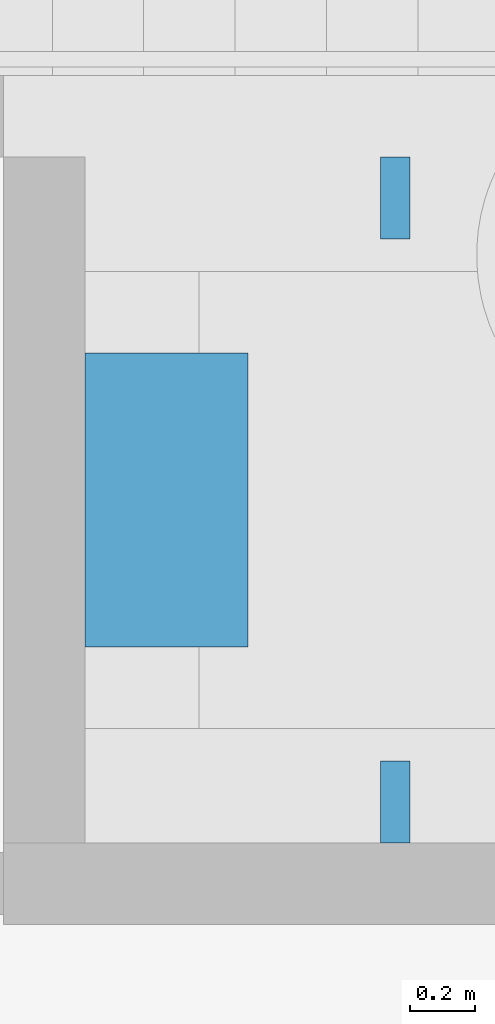
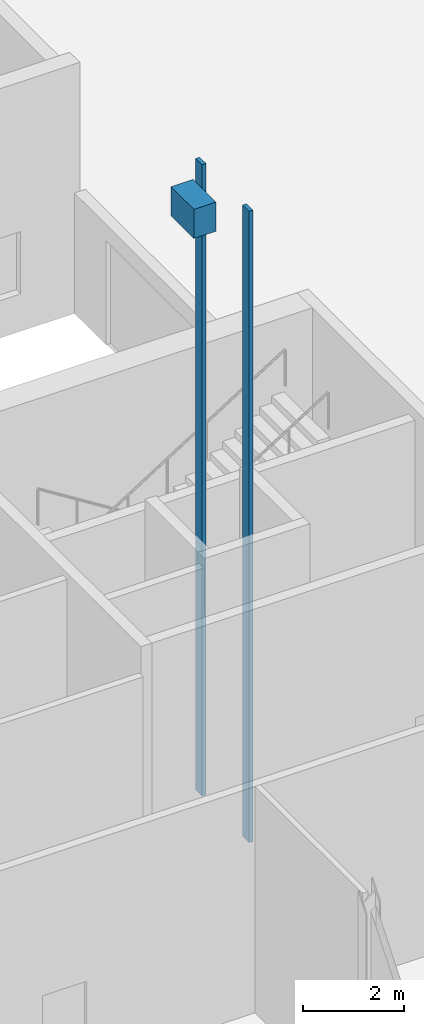
# One storey, part 91 of 97: 3 discrete accessories.
"""IFC4 building model written with IfcOpenShell, lengths in metres."""

from ifc_helpers import new_model, si_unit, direction, frame, origin, origin_2d, place, context, subcontext, project, spatial, rectangle, extrude, material, type_object, element, save


model = new_model("IFC4")

# Units and contexts
model_context = context("Model", 3, precision=1e-05, world=origin(), true_north=direction((0.0, 1.0)))
body_context = subcontext(model_context, "Body", "Model", "MODEL_VIEW")
ifc_project = project(units=[si_unit("LENGTHUNIT", "METRE"), si_unit("AREAUNIT", "SQUARE_METRE"), si_unit("VOLUMEUNIT", "CUBIC_METRE"), si_unit("PLANEANGLEUNIT", "RADIAN"), si_unit("MASSUNIT", "GRAM", prefix="KILO")], contexts=[model_context])

# Site, building, storey
site_placement = place(None, origin())
site = spatial("IfcSite", under=ifc_project, at=site_placement, CompositionType="ELEMENT")
building_placement = place(site_placement, origin())
building = spatial("IfcBuilding", under=site, at=building_placement, Name="Corbel Yard City Hall", CompositionType="ELEMENT")
storey_placement = place(building_placement, origin())
storey = spatial("IfcBuildingStorey", under=building, at=storey_placement, Name="L00", CompositionType="ELEMENT", Elevation=0.0)

# Discrete accessories
ifc_material = material(Name="Steel Grade G250", Category="steel")
discrete_accessory_type_1 = type_object("IfcDiscreteAccessoryType", Name="LM1", PredefinedType="USERDEFINED", material=ifc_material)
discrete_accessory_placement = place(storey_placement, frame((174.10009765625, 75.300048828125, 13.10009765625), z_axis=(0.0, 0.0, 1.0), x_axis=(1.0, 0.0, 0.0)))
element("IfcDiscreteAccessory", 1, at=discrete_accessory_placement, inside=storey, type_object=discrete_accessory_type_1, Name="Lift LP15 drive machine", ObjectType="LIFT MACHINE", PredefinedType="USERDEFINED", context=body_context, shape_type="SweptSolid", body=[
    extrude(rectangle(XDim=0.5, YDim=0.89990234375, at=origin_2d()), origin(), (0.0, 0.0, 1.0), 0.699951171875),
])
discrete_accessory_type_2 = type_object("IfcDiscreteAccessoryType", Name="LR1", PredefinedType="USERDEFINED", material=ifc_material)
for number, where, z_axis, x_axis, name in (
    (2, (174.800048828125, 74.375, -1.39990234375), (0.0, 0.0, 1.0), (1.0, 0.0, 0.0), "Lift LP15 guide rail 1"),
    (3, (174.800048828125, 76.22509765625, -1.39990234375), (0.0, 0.0, 1.0), (1.0, 0.0, 0.0), "Lift LP15 guide rail 2"),
):
    element("IfcDiscreteAccessory", number, at=place(storey_placement, frame(where, z_axis=z_axis, x_axis=x_axis)), inside=storey, type_object=discrete_accessory_type_2, Name=name, ObjectType="GUIDE RAIL", PredefinedType="USERDEFINED", context=body_context, shape_type="SweptSolid", body=[
        extrude(rectangle(XDim=0.090087890625, YDim=0.25, at=origin_2d()), origin(), (0.0, 0.0, 1.0), 15.199951171875),
    ])

save(model, "model.ifc")
